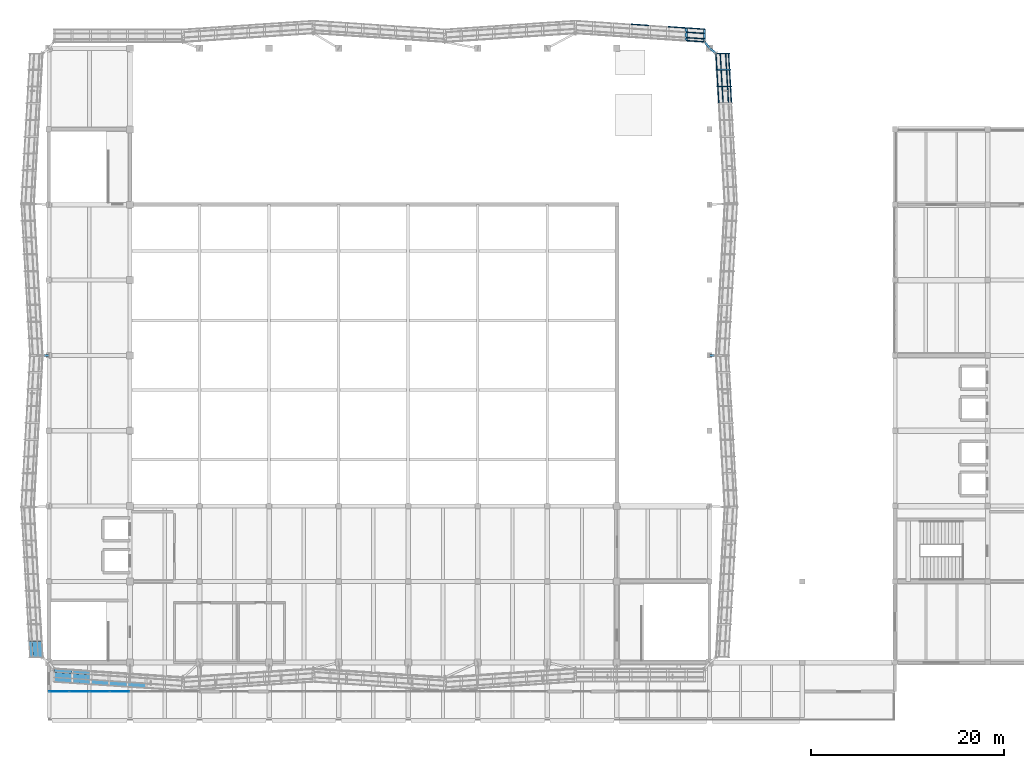
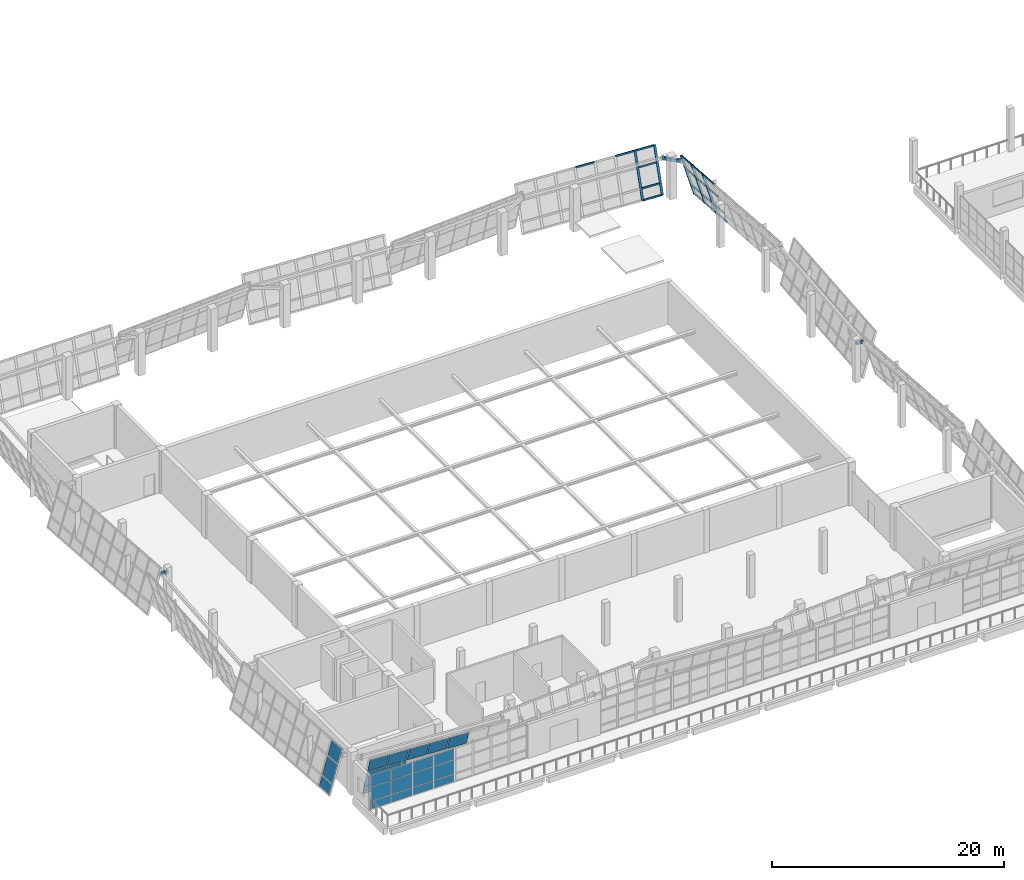
# One storey, part 33 of 67: 24 plates, 23 members, 4 beams, 5 elements without a shape of their own.
"""IFC4 building model written with IfcOpenShell, lengths in metres."""

from ifc_helpers import new_model, si_unit, direction, frame, origin, origin_2d, place, context, subcontext, project, spatial, polyline, hollow_rectangle, outline, extrude, material, layer, layer_set, material_profile, profile_set, type_object, element, aggregate, save


model = new_model("IFC4")

# Units and contexts
model_context = context("Model", 3, precision=1e-05, world=origin(), true_north=direction((0.0, 1.0)))
body_context = subcontext(model_context, "Body", "Model", "MODEL_VIEW")
ifc_project = project(units=[si_unit("LENGTHUNIT", "METRE"), si_unit("AREAUNIT", "SQUARE_METRE"), si_unit("VOLUMEUNIT", "CUBIC_METRE"), si_unit("PLANEANGLEUNIT", "RADIAN"), si_unit("MASSUNIT", "GRAM", prefix="KILO")], contexts=[model_context])

# Site, building, storey
site_placement = place(None, origin())
site = spatial("IfcSite", under=ifc_project, at=site_placement, CompositionType="ELEMENT")
building_placement = place(site_placement, origin())
building = spatial("IfcBuilding", under=site, at=building_placement, Name="Pellamere Symphony Hall", CompositionType="ELEMENT")
storey_placement = place(building_placement, frame((0.0, 0.0, 19.5)))
storey = spatial("IfcBuildingStorey", under=building, at=storey_placement, Name="L04", CompositionType="ELEMENT", Elevation=19.5)

# Curtain wall, members
ifc_material_1 = material(Name="Thermally Broken Anodised Aluminium 6063-T6 Curtain Wall", Category="aluminium")
curtain_wall_type_1 = type_object("IfcCurtainWallType", Name="Curtain Wall CW-01 (Tilted Faceted Crystal Low-Iron Curtain Wall)", PredefinedType="NOTDEFINED", material=ifc_material_1)
curtain_wall_1_placement = place(storey_placement, origin())
curtain_wall_1 = element("IfcCurtainWall", 1, at=curtain_wall_1_placement, inside=storey, type_object=curtain_wall_type_1, Name="Crystal Faceted Curtain Wall CW-CR09 (L04)", PredefinedType="NOTDEFINED")
ifc_material_2 = material(Name="Anodised Architectural Aluminium 6063-T6", Category="aluminium")
ifc_material_profile_1 = material_profile(ifc_material_2, hollow_rectangle(XDim=0.074951171875, YDim=0.219970703125, WallThickness=0.0048828125, at=origin_2d()), Name="ALU-M75X220X5")
ifc_profile_set_1 = profile_set([ifc_material_profile_1], Name="Anodised Architectural Aluminium 6063-T6")
member_type_1 = type_object("IfcMemberType", Name="Curtain Wall Mullion ML-01 ALU-M75X220X5", PredefinedType="MULLION", material=ifc_profile_set_1)
member_1_placement = place(storey_placement, frame((120.98291015625, 89.63330078125, 0.0), z_axis=(-0.284024567884, 0.0, 0.95881700279), x_axis=(-0.055224537145, 0.998339941676, -0.01635883099)))
member_1 = element("IfcMember", 2, at=member_1_placement, type_object=member_type_1, Name="CW1-021 crystal mullion 8", PredefinedType="MULLION", context=body_context, shape_type="SweptSolid", body=[
    extrude(hollow_rectangle(XDim=0.074951171875, YDim=0.219970703125, WallThickness=0.0048828125, at=origin_2d()), origin(), (0.0, 0.0, 1.0), 4.693359375),
])
member_2_placement = place(storey_placement, frame((120.883056640625, 91.36669921875, 0.0), z_axis=(-0.284024567884, 0.0, 0.95881700279), x_axis=(-0.055224537145, 0.998339941676, -0.01635883099)))
member_2 = element("IfcMember", 3, at=member_2_placement, type_object=member_type_1, Name="CW1-021 crystal mullion 9", PredefinedType="MULLION", context=body_context, shape_type="SweptSolid", body=[
    extrude(hollow_rectangle(XDim=0.074951171875, YDim=0.219970703125, WallThickness=0.0048828125, at=origin_2d()), origin(), (0.0, 0.0, 1.0), 4.693359375),
])
member_3_placement = place(storey_placement, frame((120.78515625, 93.0625, 0.0), z_axis=(-0.284024567884, 0.0, 0.95881700279), x_axis=(-0.055224537145, 0.998339941676, -0.01635883099)))
member_3 = element("IfcMember", 4, at=member_3_placement, type_object=member_type_1, Name="CW1-021 crystal mullion 10", PredefinedType="MULLION", context=body_context, shape_type="SweptSolid", body=[
    extrude(hollow_rectangle(XDim=0.074951171875, YDim=0.219970703125, WallThickness=0.0048828125, at=origin_2d()), origin(), (0.0, 0.0, 1.0), 4.693359375),
])

curtain_wall_2_placement = place(storey_placement, origin())
curtain_wall_2 = element("IfcCurtainWall", 5, at=curtain_wall_2_placement, inside=storey, type_object=curtain_wall_type_1, Name="Crystal Faceted Curtain Wall CW-CR10 (L04)", PredefinedType="NOTDEFINED")
member_4_placement = place(storey_placement, frame((118.2626953125, 94.25244140625, 0.0), z_axis=(0.0, 0.284024567884, 0.95881700279), x_axis=(0.067013200006, 0.956661667464, -0.283386105922)))
member_4 = element("IfcMember", 6, at=member_4_placement, type_object=member_type_1, Name="CW1-024 crystal mullion 1", PredefinedType="MULLION", context=body_context, shape_type="SweptSolid", body=[
    extrude(hollow_rectangle(XDim=0.074951171875, YDim=0.219970703125, WallThickness=0.0048828125, at=origin_2d()), origin(), (0.0, 0.0, 1.0), 4.693359375),
])
member_5_placement = place(storey_placement, frame((116.3857421875, 94.378662109375, 0.0), z_axis=(0.0, 0.284024567884, 0.95881700279), x_axis=(0.067013200006, 0.956661667464, -0.283386105922)))
member_5 = element("IfcMember", 7, at=member_5_placement, type_object=member_type_1, Name="CW1-024 crystal mullion 2", PredefinedType="MULLION", context=body_context, shape_type="SweptSolid", body=[
    extrude(hollow_rectangle(XDim=0.074951171875, YDim=0.219970703125, WallThickness=0.0048828125, at=origin_2d()), origin(), (0.0, 0.0, 1.0), 4.693359375),
])

# Member
ifc_material_profile_2 = material_profile(ifc_material_2, hollow_rectangle(XDim=0.074951171875, YDim=0.179931640625, WallThickness=0.0048828125, at=origin_2d()), Name="ALU-T75X180X5")
ifc_profile_set_2 = profile_set([ifc_material_profile_2], Name="Anodised Architectural Aluminium 6063-T6")
member_type_2 = type_object("IfcMemberType", Name="Curtain Wall Transom TR-01 ALU-T75X180X5", PredefinedType="USERDEFINED", material=ifc_profile_set_2)
member_6_placement = place(storey_placement, frame((121.070068359375, 87.9375, 0.035888671875), z_axis=(-0.057464139598, 0.998347571069, 0.0), x_axis=(-0.998347571069, -0.057464139598, 0.0)))
member_6 = element("IfcMember", 8, at=member_6_placement, type_object=member_type_2, Name="CW1-021 crystal transom 7.1", ObjectType="TRANSOM", PredefinedType="USERDEFINED", context=body_context, shape_type="SweptSolid", body=[
    extrude(hollow_rectangle(XDim=0.074951171875, YDim=0.179931640625, WallThickness=0.0048828125, at=origin_2d()), origin(), (0.0, 0.0, 1.0), 1.6611328125),
])

member_7_placement = place(storey_placement, frame((120.760986328125, 87.9375, 1.080078125), z_axis=(-0.057610619545, 0.998339129012, 0.0), x_axis=(-0.998339129012, -0.057610619545, 0.0)))
member_7 = element("IfcMember", 9, at=member_7_placement, type_object=member_type_2, Name="CW1-021 crystal transom 7.2", ObjectType="TRANSOM", PredefinedType="USERDEFINED", context=body_context, shape_type="SweptSolid", body=[
    extrude(hollow_rectangle(XDim=0.074951171875, YDim=0.179931640625, WallThickness=0.0048828125, at=origin_2d()), origin(), (0.0, 0.0, 1.0), 1.6611328125),
])

member_8_placement = place(storey_placement, frame((120.201171875, 87.9375, 2.969970703125), z_axis=(-0.057610619545, 0.998339129012, 0.0), x_axis=(-0.998339129012, -0.057610619545, 0.0)))
member_8 = element("IfcMember", 10, at=member_8_placement, type_object=member_type_2, Name="CW1-021 crystal transom 7.3", ObjectType="TRANSOM", PredefinedType="USERDEFINED", context=body_context, shape_type="SweptSolid", body=[
    extrude(hollow_rectangle(XDim=0.074951171875, YDim=0.179931640625, WallThickness=0.0048828125, at=origin_2d()), origin(), (0.0, 0.0, 1.0), 1.6611328125),
])

member_9_placement = place(storey_placement, frame((119.758544921875, 87.9375, 4.464111328125), z_axis=(-0.057610619545, 0.998339129012, 0.0), x_axis=(-0.998339129012, -0.057610619545, 0.0)))
member_9 = element("IfcMember", 11, at=member_9_placement, type_object=member_type_2, Name="CW1-021 crystal transom 7.4", ObjectType="TRANSOM", PredefinedType="USERDEFINED", context=body_context, shape_type="SweptSolid", body=[
    extrude(hollow_rectangle(XDim=0.074951171875, YDim=0.179931640625, WallThickness=0.0048828125, at=origin_2d()), origin(), (0.0, 0.0, 1.0), 1.6611328125),
])

member_10_placement = place(storey_placement, frame((120.97021484375, 89.670654296875, 0.035888671875), z_axis=(-0.057602168051, 0.998339616682, 0.0), x_axis=(-0.998339616682, -0.057602168051, 0.0)))
member_10 = element("IfcMember", 12, at=member_10_placement, type_object=member_type_2, Name="CW1-021 crystal transom 8.1", ObjectType="TRANSOM", PredefinedType="USERDEFINED", context=body_context, shape_type="SweptSolid", body=[
    extrude(hollow_rectangle(XDim=0.074951171875, YDim=0.179931640625, WallThickness=0.0048828125, at=origin_2d()), origin(), (0.0, 0.0, 1.0), 1.661376953125),
])

member_11_placement = place(storey_placement, frame((120.660888671875, 89.670654296875, 1.080078125), z_axis=(-0.057602168051, 0.998339616682, 0.0), x_axis=(-0.998339616682, -0.057602168051, 0.0)))
member_11 = element("IfcMember", 13, at=member_11_placement, type_object=member_type_2, Name="CW1-021 crystal transom 8.2", ObjectType="TRANSOM", PredefinedType="USERDEFINED", context=body_context, shape_type="SweptSolid", body=[
    extrude(hollow_rectangle(XDim=0.074951171875, YDim=0.179931640625, WallThickness=0.0048828125, at=origin_2d()), origin(), (0.0, 0.0, 1.0), 1.661376953125),
])

member_12_placement = place(storey_placement, frame((120.10107421875, 89.670654296875, 2.969970703125), z_axis=(-0.057602168051, 0.998339616682, 0.0), x_axis=(-0.998339616682, -0.057602168051, 0.0)))
member_12 = element("IfcMember", 14, at=member_12_placement, type_object=member_type_2, Name="CW1-021 crystal transom 8.3", ObjectType="TRANSOM", PredefinedType="USERDEFINED", context=body_context, shape_type="SweptSolid", body=[
    extrude(hollow_rectangle(XDim=0.074951171875, YDim=0.179931640625, WallThickness=0.0048828125, at=origin_2d()), origin(), (0.0, 0.0, 1.0), 1.661376953125),
])

member_13_placement = place(storey_placement, frame((119.658447265625, 89.670654296875, 4.464111328125), z_axis=(-0.057602168051, 0.998339616682, 0.0), x_axis=(-0.998339616682, -0.057602168051, 0.0)))
member_13 = element("IfcMember", 15, at=member_13_placement, type_object=member_type_2, Name="CW1-021 crystal transom 8.4", ObjectType="TRANSOM", PredefinedType="USERDEFINED", context=body_context, shape_type="SweptSolid", body=[
    extrude(hollow_rectangle(XDim=0.074951171875, YDim=0.179931640625, WallThickness=0.0048828125, at=origin_2d()), origin(), (0.0, 0.0, 1.0), 1.661376953125),
])

member_14_placement = place(storey_placement, frame((120.8701171875, 91.404052734375, 0.035888671875), z_axis=(-0.057585007883, 0.99834060664, 0.0), x_axis=(-0.99834060664, -0.057585007883, 0.0)))
member_14 = element("IfcMember", 16, at=member_14_placement, type_object=member_type_2, Name="CW1-021 crystal transom 9.1", ObjectType="TRANSOM", PredefinedType="USERDEFINED", context=body_context, shape_type="SweptSolid", body=[
    extrude(hollow_rectangle(XDim=0.074951171875, YDim=0.179931640625, WallThickness=0.0048828125, at=origin_2d()), origin(), (0.0, 0.0, 1.0), 1.623779296875),
])

member_15_placement = place(storey_placement, frame((120.56103515625, 91.404052734375, 1.080078125), z_axis=(-0.057734859862, 0.998331951786, 0.0), x_axis=(-0.998331951786, -0.057734859862, 0.0)))
member_15 = element("IfcMember", 17, at=member_15_placement, type_object=member_type_2, Name="CW1-021 crystal transom 9.2", ObjectType="TRANSOM", PredefinedType="USERDEFINED", context=body_context, shape_type="SweptSolid", body=[
    extrude(hollow_rectangle(XDim=0.074951171875, YDim=0.179931640625, WallThickness=0.0048828125, at=origin_2d()), origin(), (0.0, 0.0, 1.0), 1.623779296875),
])

member_16_placement = place(storey_placement, frame((120.0009765625, 91.404052734375, 2.969970703125), z_axis=(-0.057585007883, 0.99834060664, 0.0), x_axis=(-0.99834060664, -0.057585007883, 0.0)))
member_16 = element("IfcMember", 18, at=member_16_placement, type_object=member_type_2, Name="CW1-021 crystal transom 9.3", ObjectType="TRANSOM", PredefinedType="USERDEFINED", context=body_context, shape_type="SweptSolid", body=[
    extrude(hollow_rectangle(XDim=0.074951171875, YDim=0.179931640625, WallThickness=0.0048828125, at=origin_2d()), origin(), (0.0, 0.0, 1.0), 1.623779296875),
])

member_17_placement = place(storey_placement, frame((119.55859375, 91.404052734375, 4.464111328125), z_axis=(-0.057585007883, 0.99834060664, 0.0), x_axis=(-0.99834060664, -0.057585007883, 0.0)))
member_17 = element("IfcMember", 19, at=member_17_placement, type_object=member_type_2, Name="CW1-021 crystal transom 9.4", ObjectType="TRANSOM", PredefinedType="USERDEFINED", context=body_context, shape_type="SweptSolid", body=[
    extrude(hollow_rectangle(XDim=0.074951171875, YDim=0.179931640625, WallThickness=0.0048828125, at=origin_2d()), origin(), (0.0, 0.0, 1.0), 1.623779296875),
])

aggregate(curtain_wall_1, [member_1, member_2, member_3, member_6, member_7, member_8, member_9, member_10, member_11, member_12, member_13, member_14, member_15, member_16, member_17])

member_18_placement = place(storey_placement, frame((118.22509765625, 94.265625, 0.035888671875), z_axis=(-0.997749727577, 0.067048349123, 0.0), x_axis=(-0.067048349123, -0.997749727577, 0.0)))
member_18 = element("IfcMember", 20, at=member_18_placement, type_object=member_type_2, Name="CW1-024 crystal transom 1.1", ObjectType="TRANSOM", PredefinedType="USERDEFINED", context=body_context, shape_type="SweptSolid", body=[
    extrude(hollow_rectangle(XDim=0.074951171875, YDim=0.179931640625, WallThickness=0.0048828125, at=origin_2d()), origin(), (0.0, 0.0, 1.0), 1.80615234375),
])

member_19_placement = place(storey_placement, frame((118.22509765625, 94.574951171875, 1.080078125), z_axis=(-0.997749727577, 0.067048349123, 0.0), x_axis=(-0.067048349123, -0.997749727577, 0.0)))
member_19 = element("IfcMember", 21, at=member_19_placement, type_object=member_type_2, Name="CW1-024 crystal transom 1.2", ObjectType="TRANSOM", PredefinedType="USERDEFINED", context=body_context, shape_type="SweptSolid", body=[
    extrude(hollow_rectangle(XDim=0.074951171875, YDim=0.179931640625, WallThickness=0.0048828125, at=origin_2d()), origin(), (0.0, 0.0, 1.0), 1.80615234375),
])

member_20_placement = place(storey_placement, frame((118.22509765625, 95.134765625, 2.969970703125), z_axis=(-0.997749727577, 0.067048349123, 0.0), x_axis=(-0.067048349123, -0.997749727577, 0.0)))
member_20 = element("IfcMember", 22, at=member_20_placement, type_object=member_type_2, Name="CW1-024 crystal transom 1.3", ObjectType="TRANSOM", PredefinedType="USERDEFINED", context=body_context, shape_type="SweptSolid", body=[
    extrude(hollow_rectangle(XDim=0.074951171875, YDim=0.179931640625, WallThickness=0.0048828125, at=origin_2d()), origin(), (0.0, 0.0, 1.0), 1.80615234375),
])

member_21_placement = place(storey_placement, frame((118.22509765625, 95.577392578125, 4.464111328125), z_axis=(-0.997749727577, 0.067048349123, 0.0), x_axis=(-0.067048349123, -0.997749727577, 0.0)))
member_21 = element("IfcMember", 23, at=member_21_placement, type_object=member_type_2, Name="CW1-024 crystal transom 1.4", ObjectType="TRANSOM", PredefinedType="USERDEFINED", context=body_context, shape_type="SweptSolid", body=[
    extrude(hollow_rectangle(XDim=0.074951171875, YDim=0.179931640625, WallThickness=0.0048828125, at=origin_2d()), origin(), (0.0, 0.0, 1.0), 1.80615234375),
])

member_22_placement = place(storey_placement, frame((116.348388671875, 95.703369140625, 4.464111328125), z_axis=(-0.997752815695, 0.067002378864, 0.0), x_axis=(-0.067002378864, -0.997752815695, 0.0)))
member_22 = element("IfcMember", 24, at=member_22_placement, type_object=member_type_2, Name="CW1-024 crystal transom 2.4", ObjectType="TRANSOM", PredefinedType="USERDEFINED", context=body_context, shape_type="SweptSolid", body=[
    extrude(hollow_rectangle(XDim=0.074951171875, YDim=0.179931640625, WallThickness=0.0048828125, at=origin_2d()), origin(), (0.0, 0.0, 1.0), 1.84375),
])

member_23_placement = place(storey_placement, frame((112.519775390625, 95.960693359375, 4.464111328125), z_axis=(-0.997752815695, 0.067002378864, 0.0), x_axis=(-0.067002378864, -0.997752815695, 0.0)))
member_23 = element("IfcMember", 25, at=member_23_placement, type_object=member_type_2, Name="CW1-024 crystal transom 4.4", ObjectType="TRANSOM", PredefinedType="USERDEFINED", context=body_context, shape_type="SweptSolid", body=[
    extrude(hollow_rectangle(XDim=0.074951171875, YDim=0.179931640625, WallThickness=0.0048828125, at=origin_2d()), origin(), (0.0, 0.0, 1.0), 1.84375),
])

aggregate(curtain_wall_2, [member_4, member_5, member_18, member_19, member_20, member_21, member_22, member_23])

# Beams
ifc_material_3 = material(Name="Steel CSA G40.21 350W", Category="steel")
ifc_material_profile_3 = material_profile(ifc_material_3, hollow_rectangle(XDim=0.203125, YDim=0.3046875, WallThickness=0.0126953125, at=origin_2d()), Name="HSS305X203X13")
ifc_profile_set_3 = profile_set([ifc_material_profile_3], Name="Steel CSA G40.21 350W")
beam_type = type_object("IfcBeamType", Name="Steel Spandrel SB-26 HSS305X203X13", PredefinedType="SPANDREL", material=ifc_profile_set_3)
beam_1_placement = place(storey_placement, frame((118.800048828125, 61.800048828125, 3.93994140625), z_axis=(1.0, 0.0, 0.0), x_axis=(0.0, 1.0, 0.0)))
element("IfcBeam", 26, at=beam_1_placement, inside=storey, type_object=beam_type, Name="Crystal Ring Outrigger Bracket 025 (L04)", PredefinedType="SPANDREL", context=body_context, shape_type="SweptSolid", body=[
    extrude(hollow_rectangle(XDim=0.203125, YDim=0.3046875, WallThickness=0.0126953125, at=origin_2d()), origin(), (0.0, 0.0, 1.0), 0.64990234375),
])
for number, where, z_axis, x_axis, name in (
    (27, (118.800048828125, 93.60009765625, 3.93994140625), (0.792579713642, -0.609768314627, 0.0), (0.609768314627, 0.792579713642, 0.0), "Crystal Ring Outrigger Bracket 047 (L04)"),
    (28, (118.800048828125, 93.60009765625, 3.93994140625), (-0.609768314627, 0.792579713642, 0.0), (-0.792579713642, -0.609768314627, 0.0), "Crystal Ring Outrigger Bracket 055 (L04)"),
):
    element("IfcBeam", number, at=place(storey_placement, frame(where, z_axis=z_axis, x_axis=x_axis)), inside=storey, type_object=beam_type, Name=name, PredefinedType="SPANDREL", context=body_context, shape_type="SweptSolid", body=[
        extrude(hollow_rectangle(XDim=0.203125, YDim=0.3046875, WallThickness=0.0126953125, at=origin_2d()), origin(), (0.0, 0.0, 1.0), 0.820068359375),
    ])
beam_2_placement = place(storey_placement, frame((50.39990234375, 61.800048828125, 3.93994140625), z_axis=(-1.0, 0.0, 0.0), x_axis=(0.0, -1.0, 0.0)))
element("IfcBeam", 29, at=beam_2_placement, inside=storey, type_object=beam_type, Name="Crystal Ring Outrigger Bracket 105 (L04)", PredefinedType="SPANDREL", context=body_context, shape_type="SweptSolid", body=[
    extrude(hollow_rectangle(XDim=0.203125, YDim=0.3046875, WallThickness=0.0126953125, at=origin_2d()), origin(), (0.0, 0.0, 1.0), 0.64990234375),
])

# Curtain wall, plates
curtain_wall_type_2 = type_object("IfcCurtainWallType", Name="Curtain Wall CW-06 (Belvedere Terrace Clerestory Curtain Wall)", PredefinedType="NOTDEFINED", material=ifc_material_1)
curtain_wall_3_placement = place(storey_placement, origin())
curtain_wall_3 = element("IfcCurtainWall", 30, at=curtain_wall_3_placement, inside=storey, type_object=curtain_wall_type_2, Name="Winter-Garden South Curtain Wall (L04 Bay 1)", PredefinedType="NOTDEFINED")
ifc_material_4 = material(Name="Triple Low-E Argon Acoustic Glazing 36mm", Category="glass")
ifc_layer_1 = layer(ifc_material_4, 0.035888671875, Name="Triple Low-E Argon Acoustic Glazing 36mm")
ifc_layer_set_1 = layer_set([ifc_layer_1], Name="Triple Low-E Argon Acoustic Glazing 36mm")
plate_type_1 = type_object("IfcPlateType", Name="Facade Panel GL-01 36mm", PredefinedType="CURTAIN_PANEL", material=ifc_layer_set_1)
plate_1_placement = place(storey_placement, frame((50.465087890625, 27.0, 0.06494140625), z_axis=(0.0, -1.0, 0.0), x_axis=(1.0, 0.0, 0.0)))
plate_1 = element("IfcPlate", 31, at=plate_1_placement, type_object=plate_type_1, Name="CW2-095 crystal glass panel 1.1", PredefinedType="CURTAIN_PANEL", context=body_context, shape_type="SweptSolid", body=[
    extrude(outline(polyline([(0.0, 0.0), (2.00244140625, 0.0), (2.00244140625, 0.76123046875), (0.0, 0.76123046875), (0.0, 0.0)])), origin(), (0.0, 0.0, -1.0), 0.035888671875),
])
plate_2_placement = place(storey_placement, frame((50.465087890625, 27.0, 0.89111328125), z_axis=(0.0, -1.0, 0.0), x_axis=(1.0, 0.0, 0.0)))
plate_2 = element("IfcPlate", 32, at=plate_2_placement, type_object=plate_type_1, Name="CW2-095 crystal glass panel 1.2", PredefinedType="CURTAIN_PANEL", context=body_context, shape_type="SweptSolid", body=[
    extrude(outline(polyline([(0.0, 0.0), (2.00244140625, 0.0), (2.00244140625, 1.4375), (0.0, 1.4375), (0.0, 0.0)])), origin(), (0.0, 0.0, -1.0), 0.035888671875),
])
plate_3_placement = place(storey_placement, frame((50.465087890625, 27.0, 2.3935546875), z_axis=(0.0, -1.0, 0.0), x_axis=(1.0, 0.0, 0.0)))
plate_3 = element("IfcPlate", 33, at=plate_3_placement, type_object=plate_type_1, Name="CW2-095 crystal glass panel 1.3", PredefinedType="CURTAIN_PANEL", context=body_context, shape_type="SweptSolid", body=[
    extrude(outline(polyline([(0.0, 0.0), (2.00244140625, 0.0), (2.00244140625, 1.118896484375), (0.0, 1.118896484375), (0.0, 0.0)])), origin(), (0.0, 0.0, -1.0), 0.035888671875),
])
plate_4_placement = place(storey_placement, frame((52.532470703125, 27.0, 0.06494140625), z_axis=(0.0, -1.0, 0.0), x_axis=(1.0, 0.0, 0.0)))
plate_4 = element("IfcPlate", 34, at=plate_4_placement, type_object=plate_type_1, Name="CW2-095 crystal glass panel 2.1", PredefinedType="CURTAIN_PANEL", context=body_context, shape_type="SweptSolid", body=[
    extrude(outline(polyline([(0.0, 0.0), (2.034912109375, 0.0), (2.034912109375, 0.76123046875), (0.0, 0.76123046875), (0.0, 0.0)])), origin(), (0.0, 0.0, -1.0), 0.035888671875),
])
plate_5_placement = place(storey_placement, frame((52.532470703125, 27.0, 0.89111328125), z_axis=(0.0, -1.0, 0.0), x_axis=(1.0, 0.0, 0.0)))
plate_5 = element("IfcPlate", 35, at=plate_5_placement, type_object=plate_type_1, Name="CW2-095 crystal glass panel 2.2", PredefinedType="CURTAIN_PANEL", context=body_context, shape_type="SweptSolid", body=[
    extrude(outline(polyline([(0.0, 0.0), (2.034912109375, 0.0), (2.034912109375, 1.4375), (0.0, 1.4375), (0.0, 0.0)])), origin(), (0.0, 0.0, -1.0), 0.035888671875),
])
plate_6_placement = place(storey_placement, frame((52.532470703125, 27.0, 2.3935546875), z_axis=(0.0, -1.0, 0.0), x_axis=(1.0, 0.0, 0.0)))
plate_6 = element("IfcPlate", 36, at=plate_6_placement, type_object=plate_type_1, Name="CW2-095 crystal glass panel 2.3", PredefinedType="CURTAIN_PANEL", context=body_context, shape_type="SweptSolid", body=[
    extrude(outline(polyline([(0.0, 0.0), (2.034912109375, 0.0), (2.034912109375, 1.118896484375), (0.0, 1.118896484375), (0.0, 0.0)])), origin(), (0.0, 0.0, -1.0), 0.035888671875),
])
plate_7_placement = place(storey_placement, frame((54.632568359375, 27.0, 0.06494140625), z_axis=(0.0, -1.0, 0.0), x_axis=(1.0, 0.0, 0.0)))
plate_7 = element("IfcPlate", 37, at=plate_7_placement, type_object=plate_type_1, Name="CW2-095 crystal glass panel 3.1", PredefinedType="CURTAIN_PANEL", context=body_context, shape_type="SweptSolid", body=[
    extrude(outline(polyline([(0.0, 0.0), (2.034912109375, 0.0), (2.034912109375, 0.76123046875), (0.0, 0.76123046875), (0.0, 0.0)])), origin(), (0.0, 0.0, -1.0), 0.035888671875),
])
plate_8_placement = place(storey_placement, frame((54.632568359375, 27.0, 0.89111328125), z_axis=(0.0, -1.0, 0.0), x_axis=(1.0, 0.0, 0.0)))
plate_8 = element("IfcPlate", 38, at=plate_8_placement, type_object=plate_type_1, Name="CW2-095 crystal glass panel 3.2", PredefinedType="CURTAIN_PANEL", context=body_context, shape_type="SweptSolid", body=[
    extrude(outline(polyline([(0.0, 0.0), (2.034912109375, 0.0), (2.034912109375, 1.4375), (0.0, 1.4375), (0.0, 0.0)])), origin(), (0.0, 0.0, -1.0), 0.035888671875),
])
plate_9_placement = place(storey_placement, frame((54.632568359375, 27.0, 2.3935546875), z_axis=(0.0, -1.0, 0.0), x_axis=(1.0, 0.0, 0.0)))
plate_9 = element("IfcPlate", 39, at=plate_9_placement, type_object=plate_type_1, Name="CW2-095 crystal glass panel 3.3", PredefinedType="CURTAIN_PANEL", context=body_context, shape_type="SweptSolid", body=[
    extrude(outline(polyline([(0.0, 0.0), (2.034912109375, 0.0), (2.034912109375, 1.118896484375), (0.0, 1.118896484375), (0.0, 0.0)])), origin(), (0.0, 0.0, -1.0), 0.035888671875),
])
plate_10_placement = place(storey_placement, frame((56.732421875, 27.0, 0.06494140625), z_axis=(0.0, -1.0, 0.0), x_axis=(1.0, 0.0, 0.0)))
plate_10 = element("IfcPlate", 40, at=plate_10_placement, type_object=plate_type_1, Name="CW2-095 crystal glass panel 4.1", PredefinedType="CURTAIN_PANEL", context=body_context, shape_type="SweptSolid", body=[
    extrude(outline(polyline([(0.0, 0.0), (2.002685546875, 0.0), (2.002685546875, 0.76123046875), (0.0, 0.76123046875), (0.0, 0.0)])), origin(), (0.0, 0.0, -1.0), 0.035888671875),
])
plate_11_placement = place(storey_placement, frame((56.732421875, 27.0, 0.89111328125), z_axis=(0.0, -1.0, 0.0), x_axis=(1.0, 0.0, 0.0)))
plate_11 = element("IfcPlate", 41, at=plate_11_placement, type_object=plate_type_1, Name="CW2-095 crystal glass panel 4.2", PredefinedType="CURTAIN_PANEL", context=body_context, shape_type="SweptSolid", body=[
    extrude(outline(polyline([(0.0, 0.0), (2.002685546875, 0.0), (2.002685546875, 1.4375), (0.0, 1.4375), (0.0, 0.0)])), origin(), (0.0, 0.0, -1.0), 0.035888671875),
])
plate_12_placement = place(storey_placement, frame((56.732421875, 27.0, 2.3935546875), z_axis=(0.0, -1.0, 0.0), x_axis=(1.0, 0.0, 0.0)))
plate_12 = element("IfcPlate", 42, at=plate_12_placement, type_object=plate_type_1, Name="CW2-095 crystal glass panel 4.3", PredefinedType="CURTAIN_PANEL", context=body_context, shape_type="SweptSolid", body=[
    extrude(outline(polyline([(0.0, 0.0), (2.002685546875, 0.0), (2.002685546875, 1.118896484375), (0.0, 1.118896484375), (0.0, 0.0)])), origin(), (0.0, 0.0, -1.0), 0.035888671875),
])
aggregate(curtain_wall_3, [plate_1, plate_2, plate_3, plate_4, plate_5, plate_6, plate_7, plate_8, plate_9, plate_10, plate_11, plate_12])

curtain_wall_4_placement = place(storey_placement, origin())
curtain_wall_4 = element("IfcCurtainWall", 43, at=curtain_wall_4_placement, inside=storey, type_object=curtain_wall_type_1, Name="Crystal Faceted Curtain Wall CW-CR01 (L04)", PredefinedType="NOTDEFINED")
ifc_material_5 = material(Name="Triple Laminated Acoustic Crystal Glazing 42mm", Category="glass")
ifc_layer_2 = layer(ifc_material_5, 0.0419921875, Name="Triple Laminated Acoustic Crystal Glazing 42mm")
ifc_layer_set_2 = layer_set([ifc_layer_2], Name="Triple Laminated Acoustic Crystal Glazing 42mm")
plate_type_2 = type_object("IfcPlateType", Name="Facade Panel GL-02 42mm", PredefinedType="CURTAIN_PANEL", material=ifc_layer_set_2)
plate_13_placement = place(storey_placement, frame((50.974853515625, 29.32373046875, 0.072021484375), z_axis=(0.06429554821, 0.956785163992, 0.283598717285), x_axis=(0.997749727577, -0.067048349123, 0.0)))
plate_13 = element("IfcPlate", 44, at=plate_13_placement, type_object=plate_type_2, Name="CW1-001 crystal glass panel 1.1", PredefinedType="CURTAIN_PANEL", context=body_context, shape_type="SweptSolid", body=[
    extrude(outline(polyline([(0.0, 0.0), (1.806066093850216, 0.0), (1.8253817803651935, -1.013536550557928), (0.019315686514977455, -1.013536550557928), (0.0, 0.0)])), origin(), (0.0, 0.0, -1.0), 0.0419921875),
])
plate_14_placement = place(storey_placement, frame((50.974853515625, 29.014404296875, 1.115966796875), z_axis=(0.064298709927, 0.95683221365, 0.283439218922), x_axis=(0.997749727577, -0.067048349123, 0.0)))
plate_14 = element("IfcPlate", 45, at=plate_14_placement, type_object=plate_type_2, Name="CW1-001 crystal glass panel 1.2", PredefinedType="CURTAIN_PANEL", context=body_context, shape_type="SweptSolid", body=[
    extrude(outline(polyline([(0.0, 0.0), (1.806066093850216, 0.0), (1.8421766060977078, -1.8958642423638508), (0.03611051224749175, -1.8958642423638508), (0.0, 0.0)])), origin(), (0.0, 0.0, -1.0), 0.0419921875),
])
plate_15_placement = place(storey_placement, frame((50.974853515625, 28.45458984375, 3.005859375), z_axis=(0.064234221092, 0.956837105718, 0.283437326338), x_axis=(0.997753883801, -0.06698646896, 1.833038e-05)))
plate_15 = element("IfcPlate", 46, at=plate_15_placement, type_object=plate_type_2, Name="CW1-001 crystal glass panel 1.3", PredefinedType="CURTAIN_PANEL", context=body_context, shape_type="SweptSolid", body=[
    extrude(outline(polyline([(0.0, 0.0), (1.806066090073342, 0.0), (1.8343030122948991, -1.4828980355448065), (0.028253276339955294, -1.4829670783953264), (0.0, 0.0)])), origin(), (0.0, 0.0, -1.0), 0.0419921875),
])
plate_16_placement = place(storey_placement, frame((52.851806640625, 29.197509765625, 0.072021484375), z_axis=(0.064264320879, 0.956852556335, 0.283378338086), x_axis=(0.99775222112, -0.067011232265, 0.0)))
plate_16 = element("IfcPlate", 47, at=plate_16_placement, type_object=plate_type_2, Name="CW1-001 crystal glass panel 2.1", PredefinedType="CURTAIN_PANEL", context=body_context, shape_type="SweptSolid", body=[
    extrude(outline(polyline([(0.0, 0.0), (1.843499247423292, -6.938893903907228e-18), (1.8627878809293459, -1.0134676987071924), (0.019288633506053806, -1.0134676987071924), (0.0, 0.0)])), origin(), (0.0, 0.0, -1.0), 0.0419921875),
])
plate_17_placement = place(storey_placement, frame((52.851806640625, 28.888427734375, 1.115966796875), z_axis=(0.064263102321, 0.956834412823, 0.283439870376), x_axis=(0.99775222112, -0.067011232265, 0.0)))
plate_17 = element("IfcPlate", 48, at=plate_17_placement, type_object=plate_type_2, Name="CW1-001 crystal glass panel 2.2", PredefinedType="CURTAIN_PANEL", context=body_context, shape_type="SweptSolid", body=[
    extrude(outline(polyline([(0.0, 0.0), (1.843499247423292, -6.938893903907228e-18), (1.8795897694880543, -1.8958646230112863), (0.03609052206476225, -1.8958646230112863), (0.0, 0.0)])), origin(), (0.0, 0.0, -1.0), 0.0419921875),
])
plate_18_placement = place(storey_placement, frame((52.851806640625, 28.328369140625, 3.005859375), z_axis=(0.064264659018, 0.956857590997, 0.283361260853), x_axis=(0.99775222112, -0.067011232265, 0.0)))
plate_18 = element("IfcPlate", 49, at=plate_18_placement, type_object=plate_type_2, Name="CW1-001 crystal glass panel 2.3", PredefinedType="CURTAIN_PANEL", context=body_context, shape_type="SweptSolid", body=[
    extrude(outline(polyline([(0.0, 0.0), (1.843499247423292, 0.0), (1.8717205305428366, -1.4828983378576046), (0.02822128311954437, -1.4828983378576046), (0.0, 0.0)])), origin(), (0.0, 0.0, -1.0), 0.0419921875),
])
plate_19_placement = place(storey_placement, frame((54.765869140625, 28.199951171875, 3.005859375), z_axis=(0.064253173821, 0.95681356668, 0.283512483449), x_axis=(0.997752815695, -0.067002378864, 0.0)))
plate_19 = element("IfcPlate", 50, at=plate_19_placement, type_object=plate_type_2, Name="CW1-001 crystal glass panel 3.3", PredefinedType="CURTAIN_PANEL", context=body_context, shape_type="SweptSolid", body=[
    extrude(outline(polyline([(0.0, 0.0), (1.8437428393467363, -6.938893903907228e-18), (1.8719767519247508, -1.4829674517842317), (0.02823391257801454, -1.4829674517842317), (0.0, 0.0)])), origin(), (0.0, 0.0, -1.0), 0.0419921875),
])
plate_20_placement = place(storey_placement, frame((56.68017578125, 28.0712890625, 3.005859375), z_axis=(0.064256165415, 0.956858115418, 0.283361416154), x_axis=(0.997752815695, -0.067002378864, 0.0)))
plate_20 = element("IfcPlate", 51, at=plate_20_placement, type_object=plate_type_2, Name="CW1-001 crystal glass panel 4.3", PredefinedType="CURTAIN_PANEL", context=body_context, shape_type="SweptSolid", body=[
    extrude(outline(polyline([(0.0, 0.0), (1.8437428393467363, 0.0), (1.8719603939220983, -1.4828984088114556), (0.028217554575362156, -1.4828984088114556), (0.0, 0.0)])), origin(), (0.0, 0.0, -1.0), 0.0419921875),
])
plate_21_placement = place(storey_placement, frame((58.594482421875, 27.94287109375, 3.005859375), z_axis=(0.064253173821, 0.95681356668, 0.283512483449), x_axis=(0.997752815695, -0.067002378864, 0.0)))
plate_21 = element("IfcPlate", 52, at=plate_21_placement, type_object=plate_type_2, Name="CW1-001 crystal glass panel 5.3", PredefinedType="CURTAIN_PANEL", context=body_context, shape_type="SweptSolid", body=[
    extrude(outline(polyline([(0.0, 0.0), (1.8437428393467363, -6.938893903907228e-18), (1.8719767519247508, -1.4829674517842317), (0.02823391257801454, -1.4829674517842317), (0.0, 0.0)])), origin(), (0.0, 0.0, -1.0), 0.0419921875),
])
aggregate(curtain_wall_4, [plate_13, plate_14, plate_15, plate_16, plate_17, plate_18, plate_19, plate_20, plate_21])

curtain_wall_5_placement = place(storey_placement, origin())
curtain_wall_5 = element("IfcCurtainWall", 53, at=curtain_wall_5_placement, inside=storey, type_object=curtain_wall_type_1, Name="Crystal Faceted Curtain Wall CW-CR18 (L04)", PredefinedType="NOTDEFINED")
plate_22_placement = place(storey_placement, frame((48.340576171875, 32.19580078125, 0.072021484375), z_axis=(-0.957371033771, -0.0552301711, 0.283531888675), x_axis=(0.057593652861, -0.998340107954, 0.0)))
plate_22 = element("IfcPlate", 54, at=plate_22_placement, type_object=plate_type_2, Name="CW1-056 crystal glass panel 9.1", PredefinedType="CURTAIN_PANEL", context=body_context, shape_type="SweptSolid", body=[
    extrude(outline(polyline([(0.0, 0.0), (1.6235445180063734, -6.938893903907228e-18), (1.6401223785345782, 1.0135156645290149), (0.016577860528204754, 1.0135156645290149), (0.0, 0.0)])), origin(), (0.0, 0.0, -1.0), 0.0419921875),
])
plate_23_placement = place(storey_placement, frame((48.649658203125, 32.19580078125, 1.115966796875), z_axis=(-0.95735286075, -0.055229122709, 0.283593448478), x_axis=(0.057593652861, -0.998340107954, 0.0)))
plate_23 = element("IfcPlate", 55, at=plate_23_placement, type_object=plate_type_2, Name="CW1-056 crystal glass panel 9.2", PredefinedType="CURTAIN_PANEL", context=body_context, shape_type="SweptSolid", body=[
    extrude(outline(polyline([(0.0, 0.0), (1.6235445180063734, 0.0), (1.6545629746011314, 1.8959543902528653), (0.031018456594758003, 1.8959543902528653), (0.0, 0.0)])), origin(), (0.0, 0.0, -1.0), 0.0419921875),
])
plate_24_placement = place(storey_placement, frame((49.20947265625, 32.19580078125, 3.005859375), z_axis=(-0.957349953804, -0.055301055473, 0.283589243827), x_axis=(0.057674617133, -0.99833543367, 2.0412799e-05)))
plate_24 = element("IfcPlate", 56, at=plate_24_placement, type_object=plate_type_2, Name="CW1-056 crystal glass panel 9.3", PredefinedType="CURTAIN_PANEL", context=body_context, shape_type="SweptSolid", body=[
    extrude(outline(polyline([(0.0, 0.0), (1.6235585930461192, 0.0), (1.6478768594305424, 1.4829674741897139), (0.024332347101496902, 1.4830365943220063), (0.0, 0.0)])), origin(), (0.0, 0.0, -1.0), 0.0419921875),
])
aggregate(curtain_wall_5, [plate_22, plate_23, plate_24])

save(model, "model.ifc")
